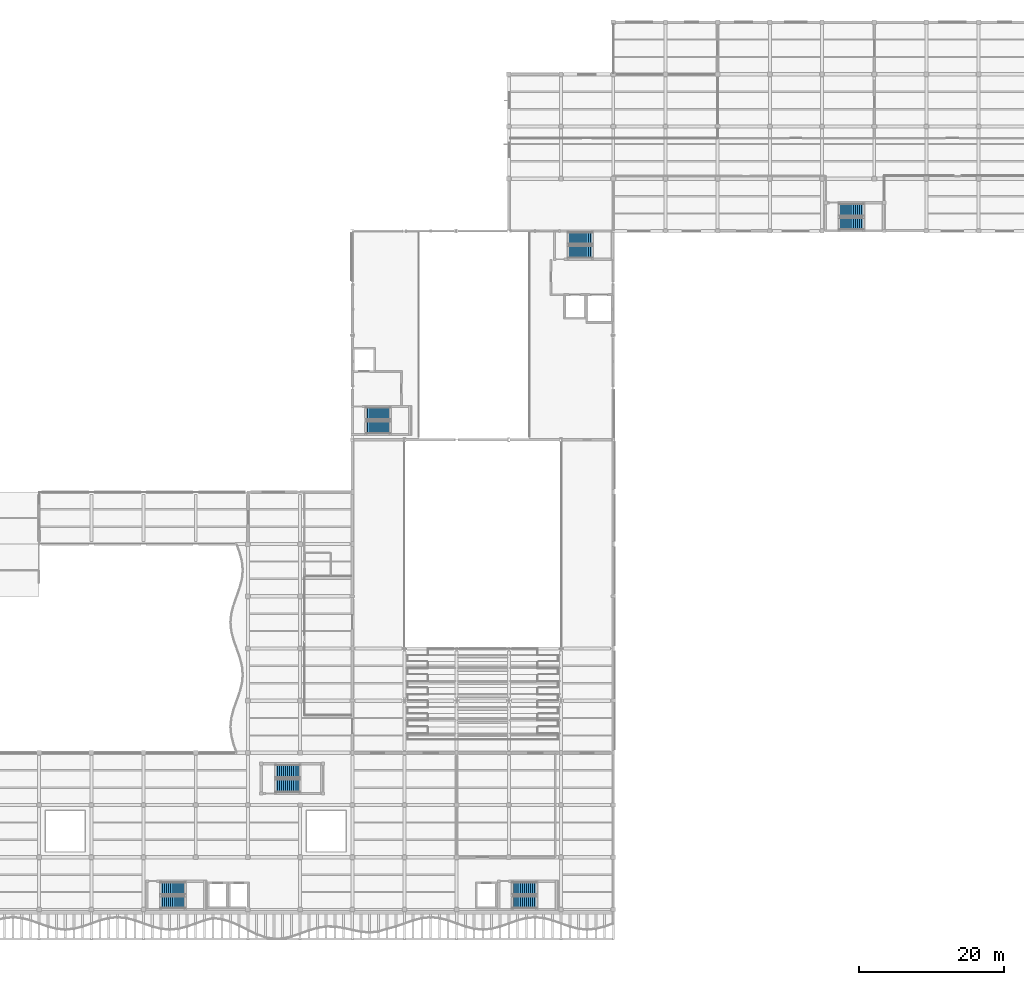
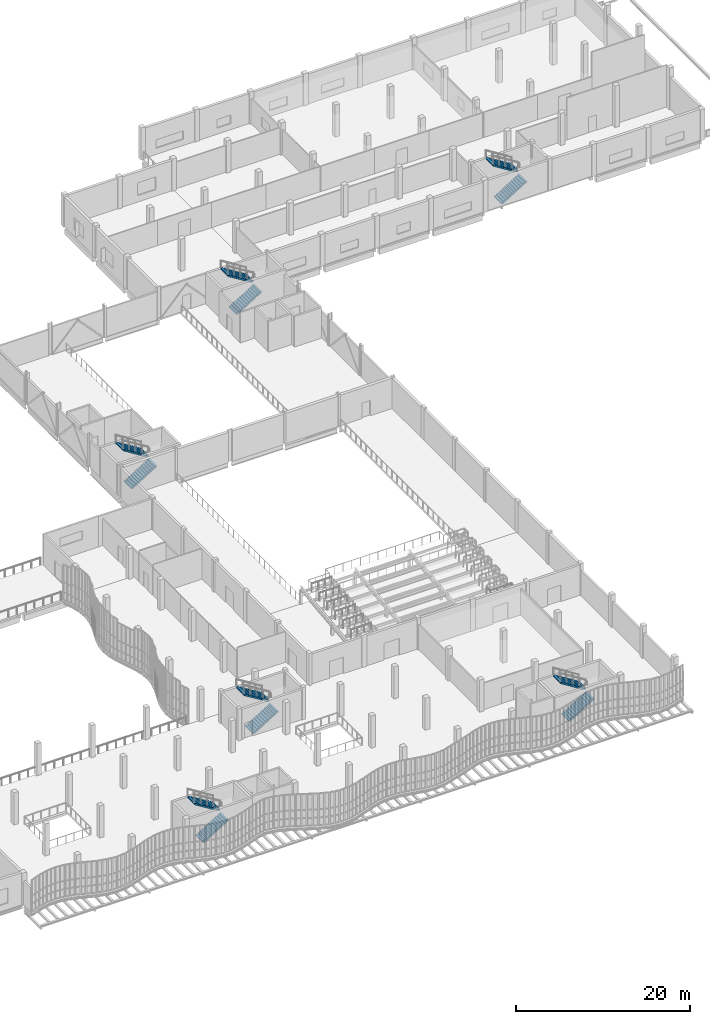
# One storey, part 94 of 105: 12 stair flights, 6 elements without a shape of their own.
"""IFC4 building model written with IfcOpenShell, lengths in metres."""

from ifc_helpers import new_model, si_unit, direction, frame, origin, place, context, subcontext, project, spatial, polyline, outline, extrude, material, type_object, element, aggregate, save


model = new_model("IFC4")

# Units and contexts
model_context = context("Model", 3, precision=1e-05, world=origin(), true_north=direction((0.0, 1.0)))
body_context = subcontext(model_context, "Body", "Model", "MODEL_VIEW")
ifc_project = project(units=[si_unit("LENGTHUNIT", "METRE"), si_unit("AREAUNIT", "SQUARE_METRE"), si_unit("VOLUMEUNIT", "CUBIC_METRE"), si_unit("PLANEANGLEUNIT", "RADIAN"), si_unit("MASSUNIT", "GRAM", prefix="KILO"), si_unit("THERMODYNAMICTEMPERATUREUNIT", "KELVIN"), si_unit("POWERUNIT", "WATT")], contexts=[model_context])

# Site, building, storey
site_placement = place(None, origin())
site = spatial("IfcSite", under=ifc_project, at=site_placement, CompositionType="ELEMENT")
building_placement = place(site_placement, origin())
building = spatial("IfcBuilding", under=site, at=building_placement, Name="Kaldorven Railside Theatre", CompositionType="ELEMENT")
storey_placement = place(building_placement, frame((0.0, 0.0, 9.89990234375)))
storey = spatial("IfcBuildingStorey", under=building, at=storey_placement, Name="L02", CompositionType="ELEMENT", Elevation=9.89990234375)

# Stair, stair flights
ifc_material = material(Name="Concrete C35/45", Category="concrete")
stair_type_1 = type_object("IfcStairType", Name="STR-DL-03", PredefinedType="HALF_TURN_STAIR", material=ifc_material)
stair_1_placement = place(storey_placement, origin())
stair_1 = element("IfcStair", 1, at=stair_1_placement, inside=storey, type_object=stair_type_1, Name="L02 Core C-FS Escape Stair ST-03", PredefinedType="HALF_TURN_STAIR")
stair_flight_type_1 = type_object("IfcStairFlightType", Name="STF-DL-03", PredefinedType="STRAIGHT", material=ifc_material)
stair_flight_1_placement = place(storey_placement, frame((60.75, 20.199951171875, 0.0), z_axis=(0.0, 0.0, 1.0), x_axis=(1.0, 0.0, 0.0)))
stair_flight_1 = element("IfcStairFlight", 2, at=stair_flight_1_placement, type_object=stair_flight_type_1, Name="ST-03 flight 1", NumberOfRisers=13, NumberOfTreads=12, PredefinedType="STRAIGHT", RiserHeight=0.173076923, TreadLength=0.28, context=body_context, shape_type="SweptSolid", body=[
    extrude(outline(polyline([(0.0, 0.0), (0.0, 0.173095703125), (0.280029296875, 0.173095703125), (0.280029296875, 0.34619140625), (0.56005859375, 0.34619140625), (0.56005859375, 0.519287109375), (0.840087890625, 0.519287109375), (0.840087890625, 0.6923828125), (1.1201171875, 0.6923828125), (1.1201171875, 0.865478515625), (1.39990234375, 0.865478515625), (1.39990234375, 1.03857421875), (1.679931640625, 1.03857421875), (1.679931640625, 1.21142578125), (1.9599609375, 1.21142578125), (1.9599609375, 1.384521484375), (2.239990234375, 1.384521484375), (2.239990234375, 1.5576171875), (2.52001953125, 1.5576171875), (2.52001953125, 1.730712890625), (2.800048828125, 1.730712890625), (2.800048828125, 1.90380859375), (3.080078125, 1.90380859375), (3.080078125, 2.076904296875), (3.360107421875, 2.076904296875), (3.360107421875, 2.25), (3.360107421875, 1.900634765625), (0.28515625, 0.0), (0.0, 0.0)])), frame((0.0, 0.85009765625, 0.0), z_axis=(0.0, -1.0, 0.0), x_axis=(1.0, 0.0, 0.0)), (0.0, 0.0, 1.0), 1.699951171875),
])
stair_flight_2_placement = place(storey_placement, frame((64.110107421875, 22.10009765625, 2.25), z_axis=(0.0, 0.0, 1.0), x_axis=(-1.0, 0.0, 0.0)))
stair_flight_2 = element("IfcStairFlight", 3, at=stair_flight_2_placement, type_object=stair_flight_type_1, Name="ST-03 flight 2", NumberOfRisers=13, NumberOfTreads=12, PredefinedType="STRAIGHT", RiserHeight=0.173076923, TreadLength=0.28, context=body_context, shape_type="SweptSolid", body=[
    extrude(outline(polyline([(0.0, 0.0), (0.0, 0.173095703125), (0.280029296875, 0.173095703125), (0.280029296875, 0.34619140625), (0.56005859375, 0.34619140625), (0.56005859375, 0.519287109375), (0.840087890625, 0.519287109375), (0.840087890625, 0.6923828125), (1.1201171875, 0.6923828125), (1.1201171875, 0.865478515625), (1.39990234375, 0.865478515625), (1.39990234375, 1.03857421875), (1.679931640625, 1.03857421875), (1.679931640625, 1.21142578125), (1.9599609375, 1.21142578125), (1.9599609375, 1.384521484375), (2.239990234375, 1.384521484375), (2.239990234375, 1.5576171875), (2.52001953125, 1.5576171875), (2.52001953125, 1.730712890625), (2.800048828125, 1.730712890625), (2.800048828125, 1.90380859375), (3.080078125, 1.90380859375), (3.080078125, 2.076904296875), (3.360107421875, 2.076904296875), (3.360107421875, 2.25), (3.360107421875, 1.900634765625), (0.28515625, 0.0), (0.0, 0.0)])), frame((0.0, 0.85009765625, 0.0), z_axis=(0.0, -1.0, 0.0), x_axis=(1.0, 0.0, 0.0)), (0.0, 0.0, 1.0), 1.699951171875),
])
aggregate(stair_1, [stair_flight_1, stair_flight_2])

stair_2_placement = place(storey_placement, origin())
stair_2 = element("IfcStair", 4, at=stair_2_placement, inside=storey, type_object=stair_type_1, Name="L02 Core C-SE Escape Stair ST-04", PredefinedType="HALF_TURN_STAIR")
stair_flight_3_placement = place(storey_placement, frame((109.25, 20.199951171875, 0.0), z_axis=(0.0, 0.0, 1.0), x_axis=(1.0, 0.0, 0.0)))
stair_flight_3 = element("IfcStairFlight", 5, at=stair_flight_3_placement, type_object=stair_flight_type_1, Name="ST-04 flight 1", NumberOfRisers=13, NumberOfTreads=12, PredefinedType="STRAIGHT", RiserHeight=0.173076923, TreadLength=0.28, context=body_context, shape_type="SweptSolid", body=[
    extrude(outline(polyline([(0.0, 0.0), (0.0, 0.173095703125), (0.280029296875, 0.173095703125), (0.280029296875, 0.34619140625), (0.56005859375, 0.34619140625), (0.56005859375, 0.519287109375), (0.840087890625, 0.519287109375), (0.840087890625, 0.6923828125), (1.1201171875, 0.6923828125), (1.1201171875, 0.865478515625), (1.39990234375, 0.865478515625), (1.39990234375, 1.03857421875), (1.679931640625, 1.03857421875), (1.679931640625, 1.21142578125), (1.9599609375, 1.21142578125), (1.9599609375, 1.384521484375), (2.239990234375, 1.384521484375), (2.239990234375, 1.5576171875), (2.52001953125, 1.5576171875), (2.52001953125, 1.730712890625), (2.800048828125, 1.730712890625), (2.800048828125, 1.90380859375), (3.080078125, 1.90380859375), (3.080078125, 2.076904296875), (3.360107421875, 2.076904296875), (3.360107421875, 2.25), (3.360107421875, 1.900634765625), (0.28515625, 0.0), (0.0, 0.0)])), frame((0.0, 0.85009765625, 0.0), z_axis=(0.0, -1.0, 0.0), x_axis=(1.0, 0.0, 0.0)), (0.0, 0.0, 1.0), 1.699951171875),
])
stair_flight_4_placement = place(storey_placement, frame((112.610107421875, 22.10009765625, 2.25), z_axis=(0.0, 0.0, 1.0), x_axis=(-1.0, 0.0, 0.0)))
stair_flight_4 = element("IfcStairFlight", 6, at=stair_flight_4_placement, type_object=stair_flight_type_1, Name="ST-04 flight 2", NumberOfRisers=13, NumberOfTreads=12, PredefinedType="STRAIGHT", RiserHeight=0.173076923, TreadLength=0.28, context=body_context, shape_type="SweptSolid", body=[
    extrude(outline(polyline([(0.0, 0.0), (0.0, 0.173095703125), (0.280029296875, 0.173095703125), (0.280029296875, 0.34619140625), (0.56005859375, 0.34619140625), (0.56005859375, 0.519287109375), (0.840087890625, 0.519287109375), (0.840087890625, 0.6923828125), (1.1201171875, 0.6923828125), (1.1201171875, 0.865478515625), (1.39990234375, 0.865478515625), (1.39990234375, 1.03857421875), (1.679931640625, 1.03857421875), (1.679931640625, 1.21142578125), (1.9599609375, 1.21142578125), (1.9599609375, 1.384521484375), (2.239990234375, 1.384521484375), (2.239990234375, 1.5576171875), (2.52001953125, 1.5576171875), (2.52001953125, 1.730712890625), (2.800048828125, 1.730712890625), (2.800048828125, 1.90380859375), (3.080078125, 1.90380859375), (3.080078125, 2.076904296875), (3.360107421875, 2.076904296875), (3.360107421875, 2.25), (3.360107421875, 1.900634765625), (0.28515625, 0.0), (0.0, 0.0)])), frame((0.0, 0.85009765625, 0.0), z_axis=(0.0, -1.0, 0.0), x_axis=(1.0, 0.0, 0.0)), (0.0, 0.0, 1.0), 1.699951171875),
])
aggregate(stair_2, [stair_flight_3, stair_flight_4])

stair_3_placement = place(storey_placement, origin())
stair_3 = element("IfcStair", 7, at=stair_3_placement, inside=storey, type_object=stair_type_1, Name="L02 Core C-STW Escape Stair ST-05", PredefinedType="HALF_TURN_STAIR")
stair_flight_5_placement = place(storey_placement, frame((89.050048828125, 85.699951171875, 0.0), z_axis=(0.0, 0.0, 1.0), x_axis=(1.0, 0.0, 0.0)))
stair_flight_5 = element("IfcStairFlight", 8, at=stair_flight_5_placement, type_object=stair_flight_type_1, Name="ST-05 flight 1", NumberOfRisers=13, NumberOfTreads=12, PredefinedType="STRAIGHT", RiserHeight=0.173076923, TreadLength=0.28, context=body_context, shape_type="SweptSolid", body=[
    extrude(outline(polyline([(0.0, 0.0), (0.0, 0.173095703125), (0.280029296875, 0.173095703125), (0.280029296875, 0.34619140625), (0.56005859375, 0.34619140625), (0.56005859375, 0.519287109375), (0.840087890625, 0.519287109375), (0.840087890625, 0.6923828125), (1.1201171875, 0.6923828125), (1.1201171875, 0.865478515625), (1.39990234375, 0.865478515625), (1.39990234375, 1.03857421875), (1.679931640625, 1.03857421875), (1.679931640625, 1.21142578125), (1.9599609375, 1.21142578125), (1.9599609375, 1.384521484375), (2.239990234375, 1.384521484375), (2.239990234375, 1.5576171875), (2.52001953125, 1.5576171875), (2.52001953125, 1.730712890625), (2.800048828125, 1.730712890625), (2.800048828125, 1.90380859375), (3.080078125, 1.90380859375), (3.080078125, 2.076904296875), (3.360107421875, 2.076904296875), (3.360107421875, 2.25), (3.360107421875, 1.900634765625), (0.28515625, 0.0), (0.0, 0.0)])), frame((0.0, 0.85009765625, 0.0), z_axis=(0.0, -1.0, 0.0), x_axis=(1.0, 0.0, 0.0)), (0.0, 0.0, 1.0), 1.699951171875),
])
stair_flight_6_placement = place(storey_placement, frame((92.409912109375, 87.60009765625, 2.25), z_axis=(0.0, 0.0, 1.0), x_axis=(-1.0, 0.0, 0.0)))
stair_flight_6 = element("IfcStairFlight", 9, at=stair_flight_6_placement, type_object=stair_flight_type_1, Name="ST-05 flight 2", NumberOfRisers=13, NumberOfTreads=12, PredefinedType="STRAIGHT", RiserHeight=0.173076923, TreadLength=0.28, context=body_context, shape_type="SweptSolid", body=[
    extrude(outline(polyline([(0.0, 0.0), (0.0, 0.173095703125), (0.280029296875, 0.173095703125), (0.280029296875, 0.34619140625), (0.56005859375, 0.34619140625), (0.56005859375, 0.519287109375), (0.840087890625, 0.519287109375), (0.840087890625, 0.6923828125), (1.1201171875, 0.6923828125), (1.1201171875, 0.865478515625), (1.39990234375, 0.865478515625), (1.39990234375, 1.03857421875), (1.679931640625, 1.03857421875), (1.679931640625, 1.21142578125), (1.9599609375, 1.21142578125), (1.9599609375, 1.384521484375), (2.239990234375, 1.384521484375), (2.239990234375, 1.5576171875), (2.52001953125, 1.5576171875), (2.52001953125, 1.730712890625), (2.800048828125, 1.730712890625), (2.800048828125, 1.90380859375), (3.080078125, 1.90380859375), (3.080078125, 2.076904296875), (3.360107421875, 2.076904296875), (3.360107421875, 2.25), (3.360107421875, 1.900634765625), (0.28515625, 0.0), (0.0, 0.0)])), frame((0.0, 0.85009765625, 0.0), z_axis=(0.0, -1.0, 0.0), x_axis=(1.0, 0.0, 0.0)), (0.0, 0.0, 1.0), 1.699951171875),
])
aggregate(stair_3, [stair_flight_5, stair_flight_6])

stair_4_placement = place(storey_placement, origin())
stair_4 = element("IfcStair", 10, at=stair_4_placement, inside=storey, type_object=stair_type_1, Name="L02 Core C-STE Escape Stair ST-06", PredefinedType="HALF_TURN_STAIR")
stair_flight_7_placement = place(storey_placement, frame((116.949951171875, 109.89990234375, 0.0), z_axis=(0.0, 0.0, 1.0), x_axis=(1.0, 0.0, 0.0)))
stair_flight_7 = element("IfcStairFlight", 11, at=stair_flight_7_placement, type_object=stair_flight_type_1, Name="ST-06 flight 1", NumberOfRisers=13, NumberOfTreads=12, PredefinedType="STRAIGHT", RiserHeight=0.173076923, TreadLength=0.28, context=body_context, shape_type="SweptSolid", body=[
    extrude(outline(polyline([(0.0, 0.0), (0.0, 0.173095703125), (0.280029296875, 0.173095703125), (0.280029296875, 0.34619140625), (0.56005859375, 0.34619140625), (0.56005859375, 0.519287109375), (0.840087890625, 0.519287109375), (0.840087890625, 0.6923828125), (1.1201171875, 0.6923828125), (1.1201171875, 0.865478515625), (1.39990234375, 0.865478515625), (1.39990234375, 1.03857421875), (1.679931640625, 1.03857421875), (1.679931640625, 1.21142578125), (1.9599609375, 1.21142578125), (1.9599609375, 1.384521484375), (2.239990234375, 1.384521484375), (2.239990234375, 1.5576171875), (2.52001953125, 1.5576171875), (2.52001953125, 1.730712890625), (2.800048828125, 1.730712890625), (2.800048828125, 1.90380859375), (3.080078125, 1.90380859375), (3.080078125, 2.076904296875), (3.360107421875, 2.076904296875), (3.360107421875, 2.25), (3.360107421875, 1.900634765625), (0.28515625, 0.0), (0.0, 0.0)])), frame((0.0, 0.85009765625, 0.0), z_axis=(0.0, -1.0, 0.0), x_axis=(1.0, 0.0, 0.0)), (0.0, 0.0, 1.0), 1.699951171875),
])
stair_flight_8_placement = place(storey_placement, frame((120.31005859375, 111.800048828125, 2.25), z_axis=(0.0, 0.0, 1.0), x_axis=(-1.0, 0.0, 0.0)))
stair_flight_8 = element("IfcStairFlight", 12, at=stair_flight_8_placement, type_object=stair_flight_type_1, Name="ST-06 flight 2", NumberOfRisers=13, NumberOfTreads=12, PredefinedType="STRAIGHT", RiserHeight=0.173076923, TreadLength=0.28, context=body_context, shape_type="SweptSolid", body=[
    extrude(outline(polyline([(0.0, 0.0), (0.0, 0.173095703125), (0.280029296875, 0.173095703125), (0.280029296875, 0.34619140625), (0.56005859375, 0.34619140625), (0.56005859375, 0.519287109375), (0.840087890625, 0.519287109375), (0.840087890625, 0.6923828125), (1.1201171875, 0.6923828125), (1.1201171875, 0.865478515625), (1.39990234375, 0.865478515625), (1.39990234375, 1.03857421875), (1.679931640625, 1.03857421875), (1.679931640625, 1.21142578125), (1.9599609375, 1.21142578125), (1.9599609375, 1.384521484375), (2.239990234375, 1.384521484375), (2.239990234375, 1.5576171875), (2.52001953125, 1.5576171875), (2.52001953125, 1.730712890625), (2.800048828125, 1.730712890625), (2.800048828125, 1.90380859375), (3.080078125, 1.90380859375), (3.080078125, 2.076904296875), (3.360107421875, 2.076904296875), (3.360107421875, 2.25), (3.360107421875, 1.900634765625), (0.28515625, 0.0), (0.0, 0.0)])), frame((0.0, 0.85009765625, 0.0), z_axis=(0.0, -1.0, 0.0), x_axis=(1.0, 0.0, 0.0)), (0.0, 0.0, 1.0), 1.699951171875),
])
aggregate(stair_4, [stair_flight_7, stair_flight_8])

stair_5_placement = place(storey_placement, origin())
stair_5 = element("IfcStair", 13, at=stair_5_placement, inside=storey, type_object=stair_type_1, Name="L02 East Backstage Escape Stair", PredefinedType="HALF_TURN_STAIR")
stair_flight_9_placement = place(storey_placement, frame((154.35009765625, 113.800048828125, 0.0), z_axis=(0.0, 0.0, 1.0), x_axis=(1.0, 0.0, 0.0)))
stair_flight_9 = element("IfcStairFlight", 14, at=stair_flight_9_placement, type_object=stair_flight_type_1, Name="ST-08 flight 1", NumberOfRisers=13, NumberOfTreads=12, PredefinedType="STRAIGHT", RiserHeight=0.173076923, TreadLength=0.28, context=body_context, shape_type="SweptSolid", body=[
    extrude(outline(polyline([(0.0, 0.0), (0.0, 0.173095703125), (0.280029296875, 0.173095703125), (0.280029296875, 0.34619140625), (0.56005859375, 0.34619140625), (0.56005859375, 0.519287109375), (0.840087890625, 0.519287109375), (0.840087890625, 0.6923828125), (1.1201171875, 0.6923828125), (1.1201171875, 0.865478515625), (1.39990234375, 0.865478515625), (1.39990234375, 1.03857421875), (1.679931640625, 1.03857421875), (1.679931640625, 1.21142578125), (1.9599609375, 1.21142578125), (1.9599609375, 1.384521484375), (2.239990234375, 1.384521484375), (2.239990234375, 1.5576171875), (2.52001953125, 1.5576171875), (2.52001953125, 1.730712890625), (2.800048828125, 1.730712890625), (2.800048828125, 1.90380859375), (3.080078125, 1.90380859375), (3.080078125, 2.076904296875), (3.360107421875, 2.076904296875), (3.360107421875, 2.25), (3.360107421875, 1.900634765625), (0.28515625, 0.0), (0.0, 0.0)])), frame((0.0, 0.85009765625, 0.0), z_axis=(0.0, -1.0, 0.0), x_axis=(1.0, 0.0, 0.0)), (0.0, 0.0, 1.0), 1.699951171875),
])
stair_flight_10_placement = place(storey_placement, frame((157.7099609375, 115.699951171875, 2.25), z_axis=(0.0, 0.0, 1.0), x_axis=(-1.0, 0.0, 0.0)))
stair_flight_10 = element("IfcStairFlight", 15, at=stair_flight_10_placement, type_object=stair_flight_type_1, Name="ST-08 flight 2", NumberOfRisers=13, NumberOfTreads=12, PredefinedType="STRAIGHT", RiserHeight=0.173076923, TreadLength=0.28, context=body_context, shape_type="SweptSolid", body=[
    extrude(outline(polyline([(0.0, 0.0), (0.0, 0.173095703125), (0.280029296875, 0.173095703125), (0.280029296875, 0.34619140625), (0.56005859375, 0.34619140625), (0.56005859375, 0.519287109375), (0.840087890625, 0.519287109375), (0.840087890625, 0.6923828125), (1.1201171875, 0.6923828125), (1.1201171875, 0.865478515625), (1.39990234375, 0.865478515625), (1.39990234375, 1.03857421875), (1.679931640625, 1.03857421875), (1.679931640625, 1.21142578125), (1.9599609375, 1.21142578125), (1.9599609375, 1.384521484375), (2.239990234375, 1.384521484375), (2.239990234375, 1.5576171875), (2.52001953125, 1.5576171875), (2.52001953125, 1.730712890625), (2.800048828125, 1.730712890625), (2.800048828125, 1.90380859375), (3.080078125, 1.90380859375), (3.080078125, 2.076904296875), (3.360107421875, 2.076904296875), (3.360107421875, 2.25), (3.360107421875, 1.900634765625), (0.28515625, 0.0), (0.0, 0.0)])), frame((0.0, 0.85009765625, 0.0), z_axis=(0.0, -1.0, 0.0), x_axis=(1.0, 0.0, 0.0)), (0.0, 0.0, 1.0), 1.699951171875),
])
aggregate(stair_5, [stair_flight_9, stair_flight_10])

stair_type_2 = type_object("IfcStairType", Name="STR-DL-06", PredefinedType="HALF_TURN_STAIR", material=ifc_material)
stair_6_placement = place(storey_placement, origin())
stair_6 = element("IfcStair", 16, at=stair_6_placement, inside=storey, type_object=stair_type_2, Name="L02 Grand Foyer Ceremonial Stair", PredefinedType="HALF_TURN_STAIR")
stair_flight_type_2 = type_object("IfcStairFlightType", Name="STF-DL-06", PredefinedType="STRAIGHT", material=ifc_material)
stair_flight_11_placement = place(storey_placement, frame((76.60009765625, 36.25, 0.0), z_axis=(0.0, 0.0, 1.0), x_axis=(1.0, 0.0, 0.0)))
stair_flight_11 = element("IfcStairFlight", 17, at=stair_flight_11_placement, type_object=stair_flight_type_2, Name="ST-07 flight 1", NumberOfRisers=13, NumberOfTreads=12, PredefinedType="STRAIGHT", RiserHeight=0.173076923, TreadLength=0.28, context=body_context, shape_type="SweptSolid", body=[
    extrude(outline(polyline([(0.0, 0.0), (0.0, 0.173095703125), (0.280029296875, 0.173095703125), (0.280029296875, 0.34619140625), (0.56005859375, 0.34619140625), (0.56005859375, 0.519287109375), (0.840087890625, 0.519287109375), (0.840087890625, 0.6923828125), (1.1201171875, 0.6923828125), (1.1201171875, 0.865478515625), (1.39990234375, 0.865478515625), (1.39990234375, 1.03857421875), (1.679931640625, 1.03857421875), (1.679931640625, 1.21142578125), (1.9599609375, 1.21142578125), (1.9599609375, 1.384521484375), (2.239990234375, 1.384521484375), (2.239990234375, 1.5576171875), (2.52001953125, 1.5576171875), (2.52001953125, 1.730712890625), (2.800048828125, 1.730712890625), (2.800048828125, 1.90380859375), (3.080078125, 1.90380859375), (3.080078125, 2.076904296875), (3.360107421875, 2.076904296875), (3.360107421875, 2.25), (3.360107421875, 1.900634765625), (0.28515625, 0.0), (0.0, 0.0)])), frame((0.0, 0.89990234375, 0.0), z_axis=(0.0, -1.0, 0.0), x_axis=(1.0, 0.0, 0.0)), (0.0, 0.0, 1.0), 1.800048828125),
])
stair_flight_12_placement = place(storey_placement, frame((79.9599609375, 38.25, 2.25), z_axis=(0.0, 0.0, 1.0), x_axis=(-1.0, 0.0, 0.0)))
stair_flight_12 = element("IfcStairFlight", 18, at=stair_flight_12_placement, type_object=stair_flight_type_2, Name="ST-07 flight 2", NumberOfRisers=13, NumberOfTreads=12, PredefinedType="STRAIGHT", RiserHeight=0.173076923, TreadLength=0.28, context=body_context, shape_type="SweptSolid", body=[
    extrude(outline(polyline([(0.0, 0.0), (0.0, 0.173095703125), (0.280029296875, 0.173095703125), (0.280029296875, 0.34619140625), (0.56005859375, 0.34619140625), (0.56005859375, 0.519287109375), (0.840087890625, 0.519287109375), (0.840087890625, 0.6923828125), (1.1201171875, 0.6923828125), (1.1201171875, 0.865478515625), (1.39990234375, 0.865478515625), (1.39990234375, 1.03857421875), (1.679931640625, 1.03857421875), (1.679931640625, 1.21142578125), (1.9599609375, 1.21142578125), (1.9599609375, 1.384521484375), (2.239990234375, 1.384521484375), (2.239990234375, 1.5576171875), (2.52001953125, 1.5576171875), (2.52001953125, 1.730712890625), (2.800048828125, 1.730712890625), (2.800048828125, 1.90380859375), (3.080078125, 1.90380859375), (3.080078125, 2.076904296875), (3.360107421875, 2.076904296875), (3.360107421875, 2.25), (3.360107421875, 1.900634765625), (0.28515625, 0.0), (0.0, 0.0)])), frame((0.0, 0.89990234375, 0.0), z_axis=(0.0, -1.0, 0.0), x_axis=(1.0, 0.0, 0.0)), (0.0, 0.0, 1.0), 1.800048828125),
])
aggregate(stair_6, [stair_flight_11, stair_flight_12])

save(model, "model.ifc")
